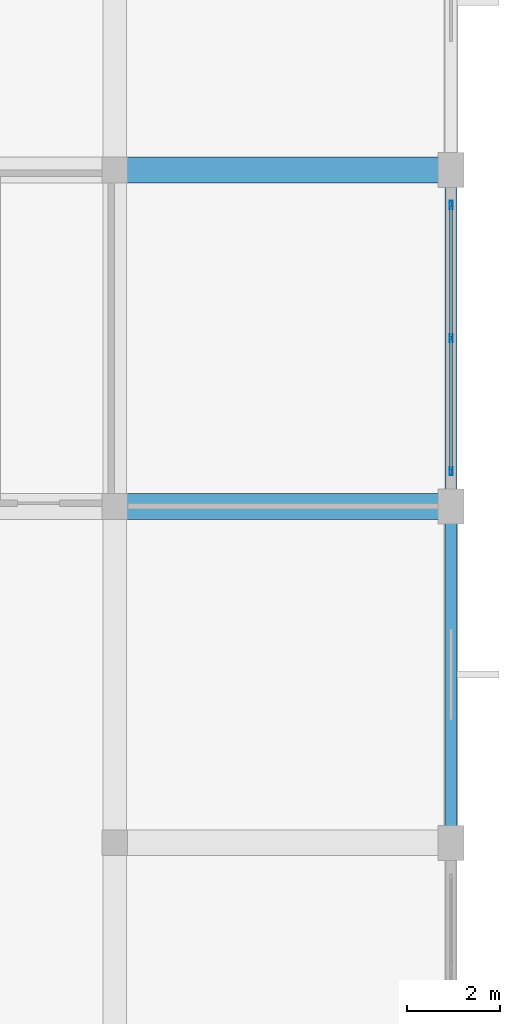
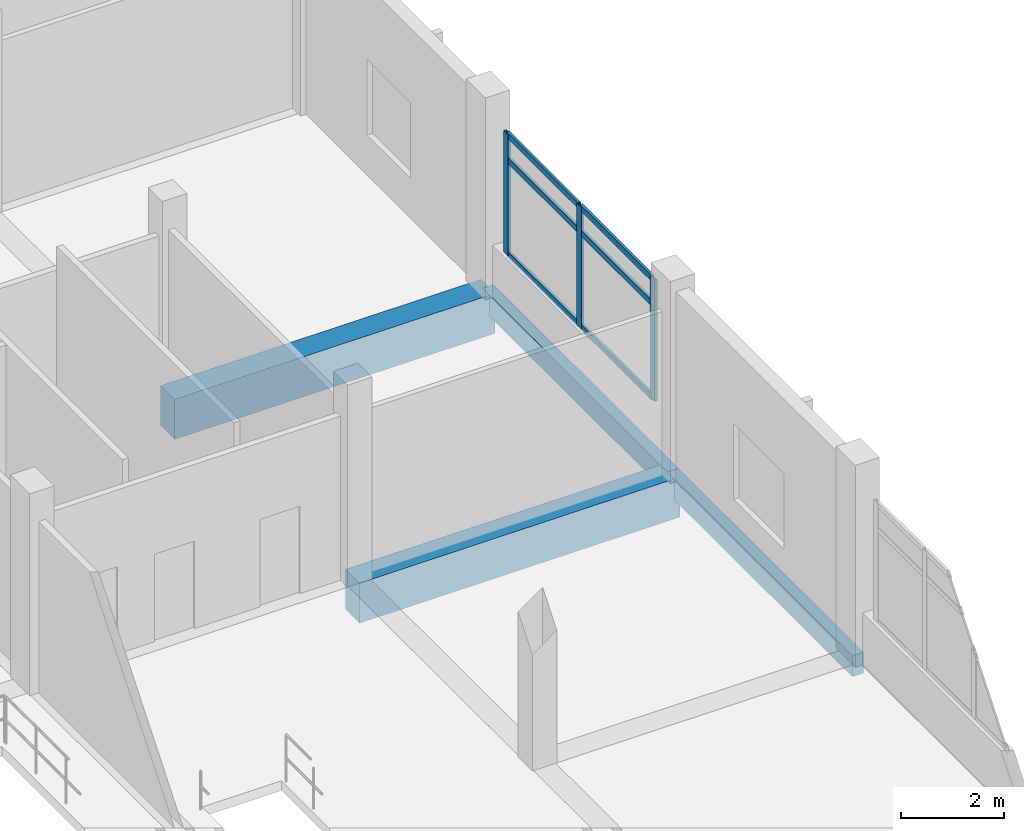
# One storey, part 112 of 181: 9 members, 4 beams, 1 element without a shape of its own.
"""IFC4 building model written with IfcOpenShell, lengths in metres."""

import ifcopenshell
import ifcopenshell.guid

model = None  # the IFC model being written
_history = None  # IfcOwnerHistory: only IFC2X3 demands one
_inside = {}  # id of a spatial element -> (the spatial element, [elements in it])
_under = {}  # id of a project, library or spatial element -> (it, [spatial elements below it])
_declared = {}  # id of a project -> (the project, [libraries it declares])
_typed = {}  # id of a type object -> (the type object, [elements of that type])
_made_of = {}  # id of a material, layer set ... -> (it, [elements and type objects made of it])


def new_model(schema):
    """Start an empty IFC model of exactly this schema.

    Asked for "IFC4X3", IfcOpenShell would pick the latest addendum, in which some entities
    have other attributes; the version numbers below select the first issue.
    IFC2X3 requires an IfcOwnerHistory on every rooted entity: one is made here for all.
    """
    global model, _history
    if schema == "IFC4X3":
        model = ifcopenshell.file(schema_version=(4, 3, 0, 0))
    else:
        model = ifcopenshell.file(schema=schema)
    _inside.clear()
    _under.clear()
    _declared.clear()
    _typed.clear()
    _made_of.clear()
    _history = None
    if model.schema == "IFC2X3":
        org = make("IfcOrganization", Name="unknown")
        user = make(
            "IfcPersonAndOrganization",
            ThePerson=make("IfcPerson", FamilyName="unknown"),
            TheOrganization=org,
        )
        app = make(
            "IfcApplication",
            ApplicationDeveloper=org,
            Version="unknown",
            ApplicationFullName="unknown",
            ApplicationIdentifier="unknown",
        )
        _history = make(
            "IfcOwnerHistory",
            OwningUser=user,
            OwningApplication=app,
            ChangeAction="ADDED",
            CreationDate=0,
        )
    return model


def make(cls, **values):
    """One entity of the class cls with the attributes given. An attribute that is None is left unset."""
    return model.create_entity(
        cls, **{name: value for name, value in values.items() if value is not None}
    )


def rooted(cls, **values):
    """An entity with a GlobalId (a new one), such as an element, a storey or a relation."""
    return make(cls, GlobalId=ifcopenshell.guid.new(), OwnerHistory=_history, **values)


def si_unit(unit_type, name, prefix=None):
    """IfcSIUnit, for example si_unit("LENGTHUNIT", "METRE", prefix="MILLI")."""
    return make("IfcSIUnit", UnitType=unit_type, Prefix=prefix, Name=name)


def assignment(units):
    """IfcUnitAssignment: the units of a project."""
    return None if units is None else make("IfcUnitAssignment", Units=units)


def point(xyz):
    """IfcCartesianPoint."""
    return None if xyz is None else make("IfcCartesianPoint", Coordinates=xyz)


def direction(xyz):
    """IfcDirection."""
    return None if xyz is None else make("IfcDirection", DirectionRatios=xyz)


def frame(location, z_axis=None, x_axis=None):
    """IfcAxis2Placement3D, a coordinate frame: its origin and axes. An axis left out is left unset."""
    return make(
        "IfcAxis2Placement3D",
        Location=point(location),
        Axis=direction(z_axis),
        RefDirection=direction(x_axis),
    )


def frame_2d(location, x_axis=None):
    """IfcAxis2Placement2D, a coordinate frame in the plane: its origin and x axis."""
    return make(
        "IfcAxis2Placement2D", Location=point(location), RefDirection=direction(x_axis)
    )


def origin():
    """The frame at (0, 0, 0) with its axes left unset."""
    return frame((0.0, 0.0, 0.0))


def origin_2d():
    """The frame at (0, 0) in the plane with its x axis left unset."""
    return frame_2d((0.0, 0.0))


def place(relative_to, where):
    """IfcLocalPlacement: puts the frame where relative to a parent placement (None: the world)."""
    return make(
        "IfcLocalPlacement", PlacementRelTo=relative_to, RelativePlacement=where
    )


def context(
    kind, dimensions, precision=None, world=None, true_north=None, identifier=None
):
    """IfcGeometricRepresentationContext, for example the 3D "Model" context."""
    return make(
        "IfcGeometricRepresentationContext",
        ContextIdentifier=identifier,
        ContextType=kind,
        CoordinateSpaceDimension=dimensions,
        Precision=precision,
        WorldCoordinateSystem=world,
        TrueNorth=true_north,
    )


def subcontext(parent, identifier, kind, view, scale=None):
    """IfcGeometricRepresentationSubContext, for example "Body" below "Model"."""
    return make(
        "IfcGeometricRepresentationSubContext",
        ContextIdentifier=identifier,
        ContextType=kind,
        ParentContext=parent,
        TargetScale=scale,
        TargetView=view,
    )


def project(units=None, contexts=None):
    """IfcProject with its units and contexts."""
    return rooted(
        "IfcProject",
        Name="project",
        RepresentationContexts=contexts,
        UnitsInContext=assignment(units),
    )


def spatial(cls, under=None, at=None, **own):
    """A site, building, storey or space (cls), placed at a placement, below another one or the project."""
    s = rooted(cls, ObjectPlacement=at, **own)
    if under is not None:
        _under.setdefault(under.id(), (under, []))[1].append(s)
    return s


def profile(cls, at=None, kind="AREA", **sizes):
    """A parametric profile (cls). Its sizes go by their IFC names, for example OverallWidth=200.0."""
    return make(cls, ProfileType=kind, Position=at, **sizes)


def rectangle(**sizes):
    """IfcRectangleProfileDef."""
    return profile("IfcRectangleProfileDef", **sizes)


def hollow_rectangle(**sizes):
    """IfcRectangleHollowProfileDef."""
    return profile("IfcRectangleHollowProfileDef", **sizes)


def extrude(swept, where, along, depth):
    """IfcExtrudedAreaSolid: the profile swept, set in the frame where, extruded along a direction by depth."""
    return make(
        "IfcExtrudedAreaSolid",
        SweptArea=swept,
        Position=where,
        ExtrudedDirection=direction(along),
        Depth=depth,
    )


def shape(context_of_items, identifier, shape_type, items):
    """IfcShapeRepresentation: the items that make up one representation, for example the "Body"."""
    return make(
        "IfcShapeRepresentation",
        ContextOfItems=context_of_items,
        RepresentationIdentifier=identifier,
        RepresentationType=shape_type,
        Items=items,
    )


def material(Name=None, Category=None):
    """IfcMaterial."""
    return make("IfcMaterial", Name=Name, Category=Category)


def layer(
    of_material, thickness, ventilated=None, Name=None, Category=None, Priority=None
):
    """IfcMaterialLayer: one layer of a wall or slab, of a material (None: an air gap)."""
    return make(
        "IfcMaterialLayer",
        Material=of_material,
        LayerThickness=thickness,
        IsVentilated=ventilated,
        Name=Name,
        Category=Category,
        Priority=Priority,
    )


def layer_set(layers, Name=None):
    """IfcMaterialLayerSet."""
    return make("IfcMaterialLayerSet", MaterialLayers=layers, LayerSetName=Name)


def material_profile(
    of_material, cross_section, Name=None, Category=None, Priority=None
):
    """IfcMaterialProfile: a cross section and its material."""
    return make(
        "IfcMaterialProfile",
        Name=Name,
        Material=of_material,
        Profile=cross_section,
        Priority=Priority,
        Category=Category,
    )


def profile_set(profiles, Name=None, composite=None):
    """IfcMaterialProfileSet."""
    return make(
        "IfcMaterialProfileSet",
        Name=Name,
        MaterialProfiles=profiles,
        CompositeProfile=composite,
    )


def made_of(thing, what):
    """Note that an element or type object is made of a material, layer set ...; save() writes the relation."""
    if what is not None:
        _made_of.setdefault(what.id(), (what, []))[1].append(thing)
    return thing


def type_object(cls, material=None, **own):
    """A type object (cls), such as IfcWallType, which elements share."""
    return made_of(rooted(cls, **own), material)


def element(
    cls,
    number,
    at=None,
    inside=None,
    cuts=None,
    type_object=None,
    material=None,
    context=None,
    identifier="Body",
    shape_type=None,
    held_by="IfcProductDefinitionShape",
    body=None,
    shapes=None,
    **own,
):
    """One element of the class cls, such as IfcWall. Its Tag is "e" and its number.

    at: its placement. inside: the storey or other place that contains it. cuts: it is an
    opening in that element (IfcRelVoidsElement). A single representation is given by context,
    identifier, shape_type and body (its items); several are given by shapes. held_by: the class
    of the entity that holds the representations. save() writes the other relations.
    """
    e = rooted(cls, Tag="e%d" % number, ObjectPlacement=at, **own)
    if body is not None:
        shapes = [shape(context, identifier, shape_type, body)]
    if shapes is not None:
        e.Representation = make(held_by, Representations=shapes)
    if inside is not None:
        _inside.setdefault(inside.id(), (inside, []))[1].append(e)
    if cuts is not None:
        rooted(
            "IfcRelVoidsElement", RelatingBuildingElement=cuts, RelatedOpeningElement=e
        )
    if type_object is not None:
        _typed.setdefault(type_object.id(), (type_object, []))[1].append(e)
    return made_of(e, material)


def aggregate(whole, parts):
    """IfcRelAggregates: a whole, such as a stair, and the parts it consists of."""
    return rooted("IfcRelAggregates", RelatingObject=whole, RelatedObjects=parts)


def save(model, path):
    """Write the relations noted so far, then the file.

    IfcRelAggregates (storeys below a building ...), IfcRelContainedInSpatialStructure (elements
    in a storey), IfcRelDefinesByType, IfcRelAssociatesMaterial and IfcRelDeclares: one each for
    every whole, place, type object, material and project.
    """
    for whole, parts in _under.values():
        aggregate(whole, parts)
    for where, things in _inside.values():
        rooted(
            "IfcRelContainedInSpatialStructure",
            RelatedElements=things,
            RelatingStructure=where,
        )
    for kind, things in _typed.values():
        rooted("IfcRelDefinesByType", RelatedObjects=things, RelatingType=kind)
    for what, things in _made_of.values():
        rooted("IfcRelAssociatesMaterial", RelatedObjects=things, RelatingMaterial=what)
    for by, libraries in _declared.values():
        rooted("IfcRelDeclares", RelatingContext=by, RelatedDefinitions=libraries)
    model.write(path)


model = new_model("IFC4")

# Units and contexts
model_context = context("Model", 3, precision=1e-05, world=origin(), true_north=direction((0.0, 1.0)))
body_context = subcontext(model_context, "Body", "Model", "MODEL_VIEW")
ifc_project = project(units=[si_unit("LENGTHUNIT", "METRE"), si_unit("AREAUNIT", "SQUARE_METRE"), si_unit("VOLUMEUNIT", "CUBIC_METRE"), si_unit("PLANEANGLEUNIT", "RADIAN"), si_unit("MASSUNIT", "GRAM", prefix="KILO")], contexts=[model_context])

# Site, building, storey
site_placement = place(None, origin())
site = spatial("IfcSite", under=ifc_project, at=site_placement, CompositionType="ELEMENT")
building_placement = place(site_placement, origin())
building = spatial("IfcBuilding", under=site, at=building_placement, Name="Seraya Terrace Polytechnic", CompositionType="ELEMENT")
storey_placement = place(building_placement, frame((0.0, 0.0, 4.800048828125)))
storey = spatial("IfcBuildingStorey", under=building, at=storey_placement, Name="L01", CompositionType="ELEMENT", Elevation=4.800048828125)

# Beams
ifc_material_1 = material(Name="Concrete C40/50", Category="concrete")
ifc_material_profile_1 = material_profile(ifc_material_1, rectangle(XDim=0.550048828125, YDim=0.949951171875, at=origin_2d()), Name="RC 550x950")
ifc_profile_set_1 = profile_set([ifc_material_profile_1], Name="Concrete C40/50")
beam_type_1 = type_object("IfcBeamType", Name="BM-03", PredefinedType="BEAM", material=ifc_profile_set_1)
for number, where, z_axis, x_axis, name in (
    (1, (158.39990234375, 21.60009765625, -0.47509765625), (1.0, 0.0, 0.0), (0.0, 1.0, 0.0), "Beam BM-03 L01 X (158.4..165.6, 21.6)"),
    (2, (158.39990234375, 28.800048828125, -0.47509765625), (1.0, 0.0, 0.0), (0.0, 1.0, 0.0), "Beam BM-03 L01 X (158.4..165.6, 28.8)"),
):
    element("IfcBeam", number, at=place(storey_placement, frame(where, z_axis=z_axis, x_axis=x_axis)), inside=storey, type_object=beam_type_1, Name=name, PredefinedType="BEAM", context=body_context, shape_type="SweptSolid", body=[
        extrude(rectangle(XDim=0.550048828125, YDim=0.949951171875, at=origin_2d()), origin(), (0.0, 0.0, 1.0), 7.2001953125),
    ])

# Curtain wall, members
ifc_material_2 = material(Name="Anodised aluminium EN AW-6063 T6", Category="aluminium")
ifc_layer = layer(ifc_material_2, 0.179931640625, Name="CW-25")
ifc_layer_set = layer_set([ifc_layer], Name="Anodised aluminium EN AW-6063 T6")
curtain_wall_type = type_object("IfcCurtainWallType", Name="CW-25", PredefinedType="NOTDEFINED", material=ifc_layer_set)
curtain_wall_placement = place(storey_placement, origin())
curtain_wall = element("IfcCurtainWall", 3, at=curtain_wall_placement, inside=storey, type_object=curtain_wall_type, Name="Unitised curtain wall CW-25 (CW-L01-025)", PredefinedType="NOTDEFINED")
ifc_material_profile_2 = material_profile(ifc_material_2, hollow_rectangle(XDim=0.06494140625, YDim=0.179931640625, WallThickness=0.00390625, at=origin_2d()), Name="RHS 180x65x4.0")
ifc_profile_set_2 = profile_set([ifc_material_profile_2], Name="Anodised aluminium EN AW-6063 T6")
member_type_1 = type_object("IfcMemberType", Name="CWM-01", PredefinedType="MULLION", material=ifc_profile_set_2)
member_1_placement = place(storey_placement, frame((165.60009765625, 28.047607421875, 1.239990234375), z_axis=(0.0, 0.0, 1.0), x_axis=(1.0, 0.0, 0.0)))
member_1 = element("IfcMember", 4, at=member_1_placement, type_object=member_type_1, Name="CW-25 mullion 1", PredefinedType="MULLION", context=body_context, shape_type="SweptSolid", body=[
    extrude(hollow_rectangle(XDim=0.06494140625, YDim=0.179931640625, WallThickness=0.00390625, at=origin_2d()), origin(), (0.0, 0.0, 1.0), 2.8798828125),
])
member_2_placement = place(storey_placement, frame((165.60009765625, 25.199951171875, 1.239990234375), z_axis=(0.0, 0.0, 1.0), x_axis=(1.0, 0.0, 0.0)))
member_2 = element("IfcMember", 5, at=member_2_placement, type_object=member_type_1, Name="CW-25 mullion 2", PredefinedType="MULLION", context=body_context, shape_type="SweptSolid", body=[
    extrude(hollow_rectangle(XDim=0.06494140625, YDim=0.179931640625, WallThickness=0.00390625, at=origin_2d()), origin(), (0.0, 0.0, 1.0), 2.8798828125),
])
member_3_placement = place(storey_placement, frame((165.60009765625, 22.3525390625, 1.239990234375), z_axis=(0.0, 0.0, 1.0), x_axis=(1.0, 0.0, 0.0)))
member_3 = element("IfcMember", 6, at=member_3_placement, type_object=member_type_1, Name="CW-25 mullion 3", PredefinedType="MULLION", context=body_context, shape_type="SweptSolid", body=[
    extrude(hollow_rectangle(XDim=0.06494140625, YDim=0.179931640625, WallThickness=0.00390625, at=origin_2d()), origin(), (0.0, 0.0, 1.0), 2.8798828125),
])
ifc_material_profile_3 = material_profile(ifc_material_2, hollow_rectangle(XDim=0.06005859375, YDim=0.139892578125, WallThickness=0.00341796875, at=origin_2d()), Name="RHS 140x60x3.5")
ifc_profile_set_3 = profile_set([ifc_material_profile_3], Name="Anodised aluminium EN AW-6063 T6")
member_type_2 = type_object("IfcMemberType", Name="CWT-01", PredefinedType="USERDEFINED", material=ifc_profile_set_3)
member_4_placement = place(storey_placement, frame((165.60009765625, 28.014892578125, 1.27001953125), z_axis=(0.0, -1.0, 0.0), x_axis=(1.0, 0.0, 0.0)))
member_4 = element("IfcMember", 7, at=member_4_placement, type_object=member_type_2, Name="CW-25 transom 1.1", ObjectType="TRANSOM", PredefinedType="USERDEFINED", context=body_context, shape_type="SweptSolid", body=[
    extrude(hollow_rectangle(XDim=0.06005859375, YDim=0.139892578125, WallThickness=0.00341796875, at=origin_2d()), origin(), (0.0, 0.0, 1.0), 2.782470703125),
])
member_5_placement = place(storey_placement, frame((165.60009765625, 28.014892578125, 3.5), z_axis=(0.0, -1.0, 0.0), x_axis=(1.0, 0.0, 0.0)))
member_5 = element("IfcMember", 8, at=member_5_placement, type_object=member_type_2, Name="CW-25 transom 1.2", ObjectType="TRANSOM", PredefinedType="USERDEFINED", context=body_context, shape_type="SweptSolid", body=[
    extrude(hollow_rectangle(XDim=0.06005859375, YDim=0.139892578125, WallThickness=0.00341796875, at=origin_2d()), origin(), (0.0, 0.0, 1.0), 2.782470703125),
])
member_6_placement = place(storey_placement, frame((165.60009765625, 28.014892578125, 4.08984375), z_axis=(0.0, -1.0, 0.0), x_axis=(1.0, 0.0, 0.0)))
member_6 = element("IfcMember", 9, at=member_6_placement, type_object=member_type_2, Name="CW-25 transom 1.3", ObjectType="TRANSOM", PredefinedType="USERDEFINED", context=body_context, shape_type="SweptSolid", body=[
    extrude(hollow_rectangle(XDim=0.06005859375, YDim=0.139892578125, WallThickness=0.00341796875, at=origin_2d()), origin(), (0.0, 0.0, 1.0), 2.782470703125),
])
member_7_placement = place(storey_placement, frame((165.60009765625, 25.16748046875, 1.27001953125), z_axis=(0.0, -1.0, 0.0), x_axis=(1.0, 0.0, 0.0)))
member_7 = element("IfcMember", 10, at=member_7_placement, type_object=member_type_2, Name="CW-25 transom 2.1", ObjectType="TRANSOM", PredefinedType="USERDEFINED", context=body_context, shape_type="SweptSolid", body=[
    extrude(hollow_rectangle(XDim=0.06005859375, YDim=0.139892578125, WallThickness=0.00341796875, at=origin_2d()), origin(), (0.0, 0.0, 1.0), 2.782470703125),
])
member_8_placement = place(storey_placement, frame((165.60009765625, 25.16748046875, 3.5), z_axis=(0.0, -1.0, 0.0), x_axis=(1.0, 0.0, 0.0)))
member_8 = element("IfcMember", 11, at=member_8_placement, type_object=member_type_2, Name="CW-25 transom 2.2", ObjectType="TRANSOM", PredefinedType="USERDEFINED", context=body_context, shape_type="SweptSolid", body=[
    extrude(hollow_rectangle(XDim=0.06005859375, YDim=0.139892578125, WallThickness=0.00341796875, at=origin_2d()), origin(), (0.0, 0.0, 1.0), 2.782470703125),
])
member_9_placement = place(storey_placement, frame((165.60009765625, 25.16748046875, 4.08984375), z_axis=(0.0, -1.0, 0.0), x_axis=(1.0, 0.0, 0.0)))
member_9 = element("IfcMember", 12, at=member_9_placement, type_object=member_type_2, Name="CW-25 transom 2.3", ObjectType="TRANSOM", PredefinedType="USERDEFINED", context=body_context, shape_type="SweptSolid", body=[
    extrude(hollow_rectangle(XDim=0.06005859375, YDim=0.139892578125, WallThickness=0.00341796875, at=origin_2d()), origin(), (0.0, 0.0, 1.0), 2.782470703125),
])
aggregate(curtain_wall, [member_1, member_2, member_3, member_4, member_5, member_6, member_7, member_8, member_9])

# Beams
ifc_material_profile_4 = material_profile(ifc_material_1, rectangle(XDim=0.25, YDim=0.5, at=origin_2d()), Name="RC 250x500")
ifc_profile_set_4 = profile_set([ifc_material_profile_4], Name="Concrete C40/50")
beam_type_2 = type_object("IfcBeamType", Name="SP-03", PredefinedType="SPANDREL", material=ifc_profile_set_4)
beam_1_placement = place(storey_placement, frame((165.60009765625, 14.39990234375, -0.25), z_axis=(0.0, 1.0, 0.0), x_axis=(-1.0, 0.0, 0.0)))
element("IfcBeam", 13, at=beam_1_placement, inside=storey, type_object=beam_type_2, Name="Beam SP-03 L01 Y (165.6, 14.4..21.6)", PredefinedType="SPANDREL", context=body_context, shape_type="SweptSolid", body=[
    extrude(rectangle(XDim=0.25, YDim=0.5, at=origin_2d()), origin(), (0.0, 0.0, 1.0), 7.2001953125),
])
beam_2_placement = place(storey_placement, frame((165.60009765625, 21.60009765625, -0.25), z_axis=(0.0, 1.0, 0.0), x_axis=(-1.0, 0.0, 0.0)))
element("IfcBeam", 14, at=beam_2_placement, inside=storey, type_object=beam_type_2, Name="Beam SP-03 L01 Y (165.6, 21.6..28.8)", PredefinedType="SPANDREL", context=body_context, shape_type="SweptSolid", body=[
    extrude(rectangle(XDim=0.25, YDim=0.5, at=origin_2d()), origin(), (0.0, 0.0, 1.0), 7.199951171875),
])

save(model, "model.ifc")
